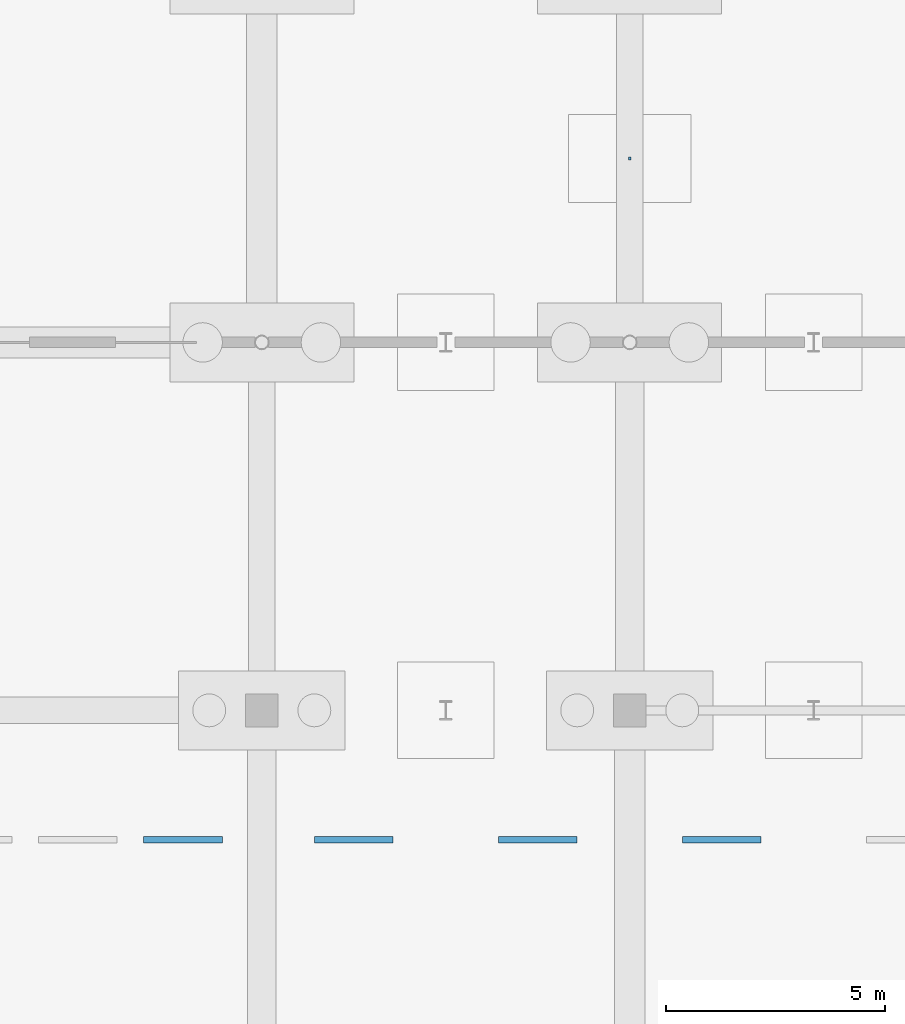
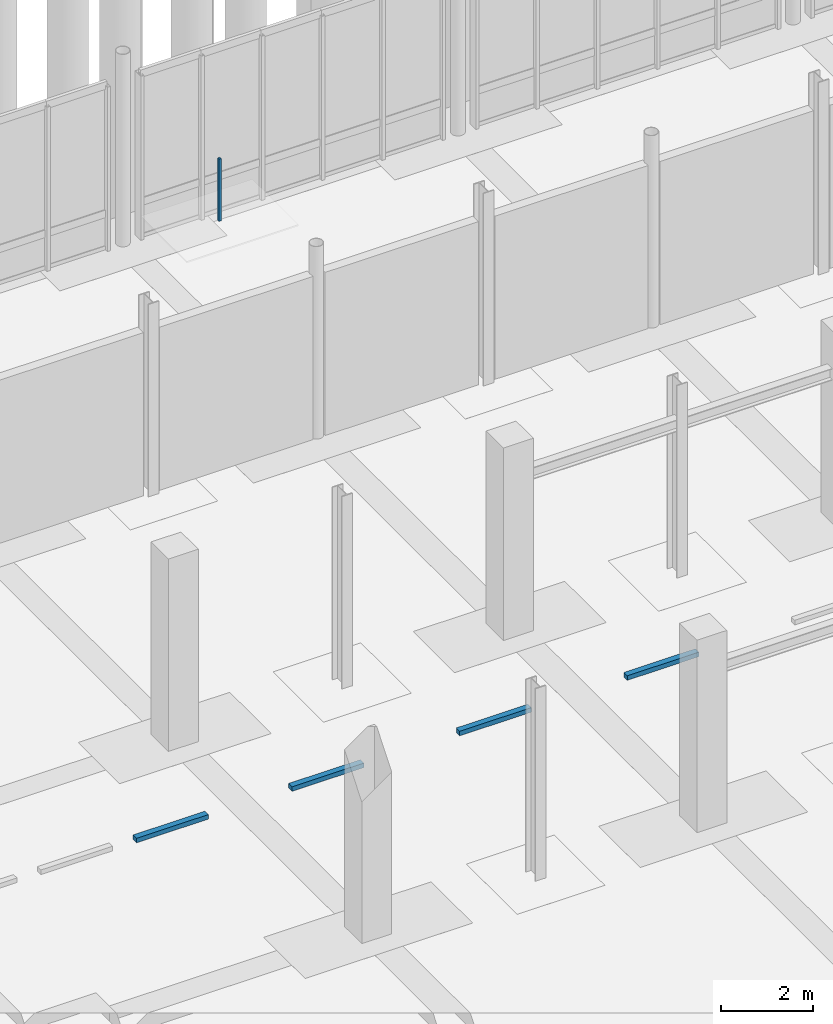
# One storey, part 97 of 119: 5 discrete accessories.
"""IFC4 building model written with IfcOpenShell, lengths in metres."""

from ifc_helpers import new_model, si_unit, derived_unit, direction, frame, origin, origin_2d, place, context, subcontext, project, spatial, rectangle, extrude, material, layer, layer_set, type_object, element, save


model = new_model("IFC4")

# Units and contexts
model_context = context("Model", 3, precision=1e-05, world=origin(), true_north=direction((0.0, 1.0)))
body_context = subcontext(model_context, "Body", "Model", "MODEL_VIEW")
ifc_project = project(units=[si_unit("LENGTHUNIT", "METRE"), si_unit("AREAUNIT", "SQUARE_METRE"), si_unit("VOLUMEUNIT", "CUBIC_METRE"), si_unit("PLANEANGLEUNIT", "RADIAN"), si_unit("MASSUNIT", "GRAM", prefix="KILO"), derived_unit("THERMALTRANSMITTANCEUNIT", [(si_unit("MASSUNIT", "GRAM", prefix="KILO"), 1), (si_unit("TIMEUNIT", "SECOND"), -3), (si_unit("THERMODYNAMICTEMPERATUREUNIT", "KELVIN"), -1)])], contexts=[model_context])

# Site, building, storey
site_placement = place(None, origin())
site = spatial("IfcSite", under=ifc_project, at=site_placement, CompositionType="ELEMENT")
building_placement = place(site_placement, origin())
building = spatial("IfcBuilding", under=site, at=building_placement, Name="Makaiwela Harbour Ferry Terminal", CompositionType="ELEMENT")
storey_placement = place(building_placement, origin())
storey = spatial("IfcBuildingStorey", under=building, at=storey_placement, Name="L00", CompositionType="ELEMENT", Elevation=0.0)

# Discrete accessories
ifc_material_1 = material(Name="Concrete f'c 45 MPa (6500 psi)", Category="concrete")
ifc_layer_1 = layer(ifc_material_1, 0.1201171875)
ifc_layer_set_1 = layer_set([ifc_layer_1], Name="Concrete f'c 45 MPa (6500 psi)")
discrete_accessory_type_1 = type_object("IfcDiscreteAccessoryType", Name="EXT-ACC-WST", PredefinedType="BRACKET", material=ifc_layer_set_1)
for number, where, z_axis, x_axis, name in (
    (1, (94.800048828125, 13.85009765625, 0.0), (0.0, 0.0, 1.0), (1.0, 0.0, 0.0), "Parking Bay Wheel Stop WS-05"),
    (2, (98.699951171875, 13.85009765625, 0.0), (0.0, 0.0, 1.0), (1.0, 0.0, 0.0), "Parking Bay Wheel Stop WS-06"),
    (3, (102.89990234375, 13.85009765625, 0.0), (0.0, 0.0, 1.0), (1.0, 0.0, 0.0), "Parking Bay Wheel Stop WS-07"),
    (4, (107.10009765625, 13.85009765625, 0.0), (0.0, 0.0, 1.0), (1.0, 0.0, 0.0), "Parking Bay Wheel Stop WS-08"),
):
    element("IfcDiscreteAccessory", number, at=place(storey_placement, frame(where, z_axis=z_axis, x_axis=x_axis)), inside=storey, type_object=discrete_accessory_type_1, Name=name, PredefinedType="BRACKET", context=body_context, shape_type="SweptSolid", body=[
        extrude(rectangle(XDim=1.800048828125, YDim=0.14990234375, at=origin_2d()), origin(), (0.0, 0.0, 1.0), 0.1201171875),
    ])
ifc_material_2 = material(Name="Marine grade 316L brushed stainless steel", Category="steel")
ifc_layer_2 = layer(ifc_material_2, 1.0)
ifc_layer_set_2 = layer_set([ifc_layer_2], Name="Marine grade 316L brushed stainless steel")
discrete_accessory_type_2 = type_object("IfcDiscreteAccessoryType", Name="INT-ACC-HNG", PredefinedType="BRACKET", material=ifc_layer_set_2)
discrete_accessory_placement = place(storey_placement, frame((105.0, 29.39990234375, 3.135009765625), z_axis=(0.0, 0.0, 1.0), x_axis=(1.0, 0.0, 0.0)))
element("IfcDiscreteAccessory", 5, at=discrete_accessory_placement, inside=storey, type_object=discrete_accessory_type_2, Name="Ceiling Suspension Bracket HNG-020", PredefinedType="BRACKET", context=body_context, shape_type="SweptSolid", body=[
    extrude(rectangle(XDim=0.06005859375, YDim=0.06005859375, at=origin_2d()), origin(), (0.0, 0.0, 1.0), 1.64990234375),
])

save(model, "model.ifc")
